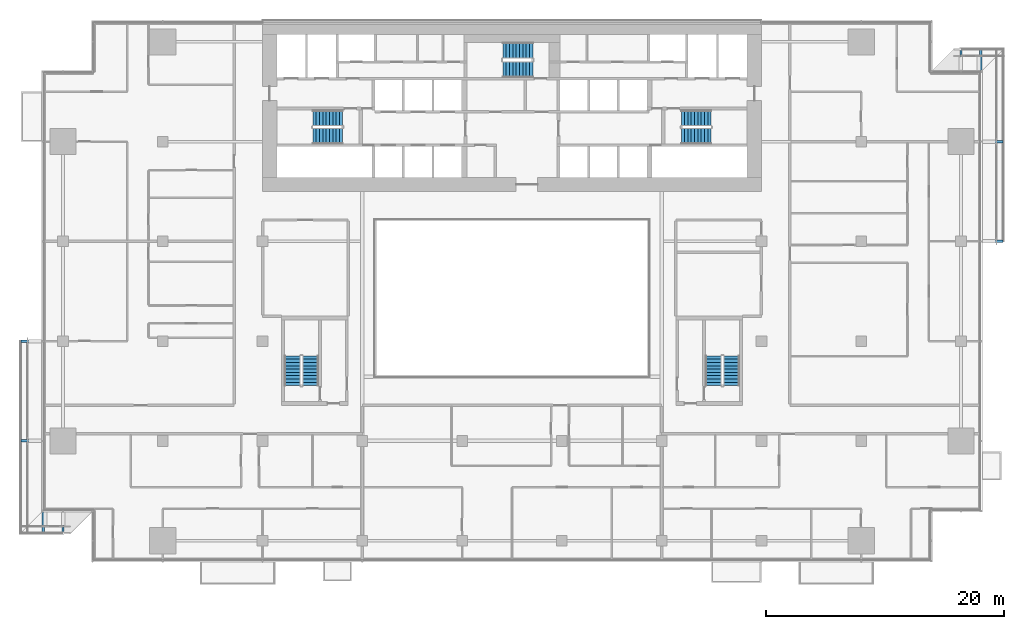
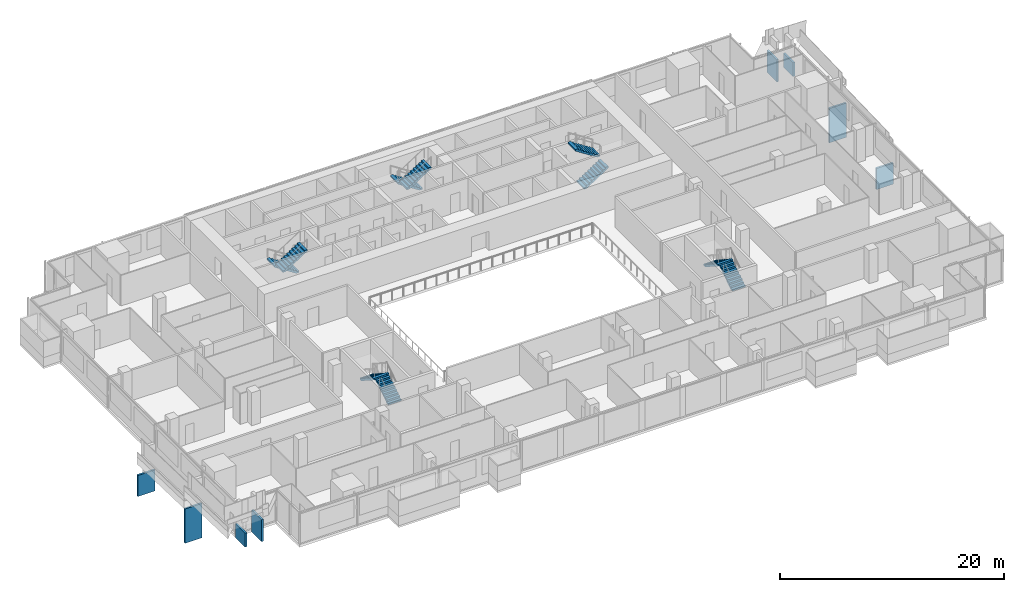
# One storey, part 25 of 29: 10 stair flights, 8 discrete accessories, 5 elements without a shape of their own.
"""IFC4 building model written with IfcOpenShell, lengths in metres."""

from ifc_helpers import new_model, si_unit, direction, frame, origin, origin_2d, place, context, subcontext, project, spatial, polyline, rectangle, outline, extrude, material, type_object, element, aggregate, save


model = new_model("IFC4")

# Units and contexts
model_context = context("Model", 3, precision=1e-05, world=origin(), true_north=direction((0.0, 1.0)))
body_context = subcontext(model_context, "Body", "Model", "MODEL_VIEW")
ifc_project = project(units=[si_unit("LENGTHUNIT", "METRE"), si_unit("AREAUNIT", "SQUARE_METRE"), si_unit("VOLUMEUNIT", "CUBIC_METRE"), si_unit("PLANEANGLEUNIT", "RADIAN"), si_unit("MASSUNIT", "GRAM", prefix="KILO")], contexts=[model_context])

# Site, building, storey
site_placement = place(None, origin())
site = spatial("IfcSite", under=ifc_project, at=site_placement, CompositionType="ELEMENT")
building_placement = place(site_placement, origin())
building = spatial("IfcBuilding", under=site, at=building_placement, Name="Saffron Gate Tower", CompositionType="ELEMENT")
storey_placement = place(building_placement, frame((0.0, 0.0, 55.199951171875)))
storey = spatial("IfcBuildingStorey", under=building, at=storey_placement, Name="L12", CompositionType="ELEMENT", Elevation=55.199951171875)

# Stair, stair flights
ifc_material = material(Name="Concrete C40", Category="concrete")
stair_type = type_object("IfcStairType", Name="ST7 Stair 1350 wide, 20 risers of 180", PredefinedType="HALF_TURN_STAIR", material=ifc_material)
stair_1_placement = place(storey_placement, origin())
stair_1 = element("IfcStair", 1, at=stair_1_placement, inside=storey, type_object=stair_type, Name="L12 Exit stair A", PredefinedType="HALF_TURN_STAIR")
stair_flight_type = type_object("IfcStairFlightType", Name="SF3 Stair flight 1350 wide, riser 180 going 280", PredefinedType="STRAIGHT", material=ifc_material)
stair_flight_1_placement = place(storey_placement, frame((73.35009765625, 67.375, 0.0), z_axis=(0.0, 0.0, 1.0), x_axis=(-1.0, 0.0, 0.0)))
stair_flight_1 = element("IfcStairFlight", 2, at=stair_flight_1_placement, type_object=stair_flight_type, Name="ST-A flight 1", NumberOfRisers=10, NumberOfTreads=9, PredefinedType="STRAIGHT", RiserHeight=0.18, TreadLength=0.28, context=body_context, shape_type="SweptSolid", body=[
    extrude(outline(polyline([(0.0, 0.0), (0.0, 0.179931640625), (0.280029296875, 0.179931640625), (0.280029296875, 0.360107421875), (0.56005859375, 0.360107421875), (0.56005859375, 0.5400390625), (0.840087890625, 0.5400390625), (0.840087890625, 0.719970703125), (1.1201171875, 0.719970703125), (1.1201171875, 0.89990234375), (1.39990234375, 0.89990234375), (1.39990234375, 1.080078125), (1.679931640625, 1.080078125), (1.679931640625, 1.260009765625), (1.9599609375, 1.260009765625), (1.9599609375, 1.43994140625), (2.239990234375, 1.43994140625), (2.239990234375, 1.6201171875), (2.52001953125, 1.6201171875), (2.52001953125, 1.800048828125), (2.52001953125, 1.44189453125), (0.277099609375, 0.0), (0.0, 0.0)])), frame((0.0, 0.675048828125, 0.0), z_axis=(0.0, -1.0, 0.0), x_axis=(1.0, 0.0, 0.0)), (0.0, 0.0, 1.0), 1.35009765625),
])
stair_flight_2_placement = place(storey_placement, frame((70.830078125, 65.875, 1.800048828125), z_axis=(0.0, 0.0, 1.0), x_axis=(1.0, 0.0, 0.0)))
stair_flight_2 = element("IfcStairFlight", 3, at=stair_flight_2_placement, type_object=stair_flight_type, Name="ST-A flight 2", NumberOfRisers=10, NumberOfTreads=9, PredefinedType="STRAIGHT", RiserHeight=0.18, TreadLength=0.28, context=body_context, shape_type="SweptSolid", body=[
    extrude(outline(polyline([(0.0, 0.0), (0.0, 0.179931640625), (0.280029296875, 0.179931640625), (0.280029296875, 0.360107421875), (0.56005859375, 0.360107421875), (0.56005859375, 0.5400390625), (0.840087890625, 0.5400390625), (0.840087890625, 0.719970703125), (1.1201171875, 0.719970703125), (1.1201171875, 0.89990234375), (1.39990234375, 0.89990234375), (1.39990234375, 1.080078125), (1.679931640625, 1.080078125), (1.679931640625, 1.260009765625), (1.9599609375, 1.260009765625), (1.9599609375, 1.43994140625), (2.239990234375, 1.43994140625), (2.239990234375, 1.6201171875), (2.52001953125, 1.6201171875), (2.52001953125, 1.800048828125), (2.52001953125, 1.44189453125), (0.277099609375, 0.0), (0.0, 0.0)])), frame((0.0, 0.675048828125, 0.0), z_axis=(0.0, -1.0, 0.0), x_axis=(1.0, 0.0, 0.0)), (0.0, 0.0, 1.0), 1.35009765625),
])
aggregate(stair_1, [stair_flight_1, stair_flight_2])

stair_2_placement = place(storey_placement, origin())
stair_2 = element("IfcStair", 4, at=stair_2_placement, inside=storey, type_object=stair_type, Name="L12 Exit stair B", PredefinedType="HALF_TURN_STAIR")
stair_flight_3_placement = place(storey_placement, frame((101.85009765625, 65.875, 0.0), z_axis=(0.0, 0.0, 1.0), x_axis=(1.0, 0.0, 0.0)))
stair_flight_3 = element("IfcStairFlight", 5, at=stair_flight_3_placement, type_object=stair_flight_type, Name="ST-B flight 1", NumberOfRisers=10, NumberOfTreads=9, PredefinedType="STRAIGHT", RiserHeight=0.18, TreadLength=0.28, context=body_context, shape_type="SweptSolid", body=[
    extrude(outline(polyline([(0.0, 0.0), (0.0, 0.179931640625), (0.280029296875, 0.179931640625), (0.280029296875, 0.360107421875), (0.56005859375, 0.360107421875), (0.56005859375, 0.5400390625), (0.840087890625, 0.5400390625), (0.840087890625, 0.719970703125), (1.1201171875, 0.719970703125), (1.1201171875, 0.89990234375), (1.39990234375, 0.89990234375), (1.39990234375, 1.080078125), (1.679931640625, 1.080078125), (1.679931640625, 1.260009765625), (1.9599609375, 1.260009765625), (1.9599609375, 1.43994140625), (2.239990234375, 1.43994140625), (2.239990234375, 1.6201171875), (2.52001953125, 1.6201171875), (2.52001953125, 1.800048828125), (2.52001953125, 1.44189453125), (0.277099609375, 0.0), (0.0, 0.0)])), frame((0.0, 0.675048828125, 0.0), z_axis=(0.0, -1.0, 0.0), x_axis=(1.0, 0.0, 0.0)), (0.0, 0.0, 1.0), 1.35009765625),
])
stair_flight_4_placement = place(storey_placement, frame((104.3701171875, 67.375, 1.800048828125), z_axis=(0.0, 0.0, 1.0), x_axis=(-1.0, 0.0, 0.0)))
stair_flight_4 = element("IfcStairFlight", 6, at=stair_flight_4_placement, type_object=stair_flight_type, Name="ST-B flight 2", NumberOfRisers=10, NumberOfTreads=9, PredefinedType="STRAIGHT", RiserHeight=0.18, TreadLength=0.28, context=body_context, shape_type="SweptSolid", body=[
    extrude(outline(polyline([(0.0, 0.0), (0.0, 0.179931640625), (0.280029296875, 0.179931640625), (0.280029296875, 0.360107421875), (0.56005859375, 0.360107421875), (0.56005859375, 0.5400390625), (0.840087890625, 0.5400390625), (0.840087890625, 0.719970703125), (1.1201171875, 0.719970703125), (1.1201171875, 0.89990234375), (1.39990234375, 0.89990234375), (1.39990234375, 1.080078125), (1.679931640625, 1.080078125), (1.679931640625, 1.260009765625), (1.9599609375, 1.260009765625), (1.9599609375, 1.43994140625), (2.239990234375, 1.43994140625), (2.239990234375, 1.6201171875), (2.52001953125, 1.6201171875), (2.52001953125, 1.800048828125), (2.52001953125, 1.44189453125), (0.277099609375, 0.0), (0.0, 0.0)])), frame((0.0, 0.675048828125, 0.0), z_axis=(0.0, -1.0, 0.0), x_axis=(1.0, 0.0, 0.0)), (0.0, 0.0, 1.0), 1.35009765625),
])
aggregate(stair_2, [stair_flight_3, stair_flight_4])

stair_3_placement = place(storey_placement, origin())
stair_3 = element("IfcStair", 7, at=stair_3_placement, inside=storey, type_object=stair_type, Name="L12 Exit stair C", PredefinedType="HALF_TURN_STAIR")
stair_flight_5_placement = place(storey_placement, frame((89.35009765625, 73.074951171875, 0.0), z_axis=(0.0, 0.0, 1.0), x_axis=(-1.0, 0.0, 0.0)))
stair_flight_5 = element("IfcStairFlight", 8, at=stair_flight_5_placement, type_object=stair_flight_type, Name="ST-C flight 1", NumberOfRisers=10, NumberOfTreads=9, PredefinedType="STRAIGHT", RiserHeight=0.18, TreadLength=0.28, context=body_context, shape_type="SweptSolid", body=[
    extrude(outline(polyline([(0.0, 0.0), (0.0, 0.179931640625), (0.280029296875, 0.179931640625), (0.280029296875, 0.360107421875), (0.56005859375, 0.360107421875), (0.56005859375, 0.5400390625), (0.840087890625, 0.5400390625), (0.840087890625, 0.719970703125), (1.1201171875, 0.719970703125), (1.1201171875, 0.89990234375), (1.39990234375, 0.89990234375), (1.39990234375, 1.080078125), (1.679931640625, 1.080078125), (1.679931640625, 1.260009765625), (1.9599609375, 1.260009765625), (1.9599609375, 1.43994140625), (2.239990234375, 1.43994140625), (2.239990234375, 1.6201171875), (2.52001953125, 1.6201171875), (2.52001953125, 1.800048828125), (2.52001953125, 1.44189453125), (0.277099609375, 0.0), (0.0, 0.0)])), frame((0.0, 0.675048828125, 0.0), z_axis=(0.0, -1.0, 0.0), x_axis=(1.0, 0.0, 0.0)), (0.0, 0.0, 1.0), 1.35009765625),
])
stair_flight_6_placement = place(storey_placement, frame((86.830078125, 71.47509765625, 1.800048828125), z_axis=(0.0, 0.0, 1.0), x_axis=(1.0, 0.0, 0.0)))
stair_flight_6 = element("IfcStairFlight", 9, at=stair_flight_6_placement, type_object=stair_flight_type, Name="ST-C flight 2", NumberOfRisers=10, NumberOfTreads=9, PredefinedType="STRAIGHT", RiserHeight=0.18, TreadLength=0.28, context=body_context, shape_type="SweptSolid", body=[
    extrude(outline(polyline([(0.0, 0.0), (0.0, 0.179931640625), (0.280029296875, 0.179931640625), (0.280029296875, 0.360107421875), (0.56005859375, 0.360107421875), (0.56005859375, 0.5400390625), (0.840087890625, 0.5400390625), (0.840087890625, 0.719970703125), (1.1201171875, 0.719970703125), (1.1201171875, 0.89990234375), (1.39990234375, 0.89990234375), (1.39990234375, 1.080078125), (1.679931640625, 1.080078125), (1.679931640625, 1.260009765625), (1.9599609375, 1.260009765625), (1.9599609375, 1.43994140625), (2.239990234375, 1.43994140625), (2.239990234375, 1.6201171875), (2.52001953125, 1.6201171875), (2.52001953125, 1.800048828125), (2.52001953125, 1.44189453125), (0.277099609375, 0.0), (0.0, 0.0)])), frame((0.0, 0.675048828125, 0.0), z_axis=(0.0, -1.0, 0.0), x_axis=(1.0, 0.0, 0.0)), (0.0, 0.0, 1.0), 1.35009765625),
])
aggregate(stair_3, [stair_flight_5, stair_flight_6])

stair_4_placement = place(storey_placement, origin())
stair_4 = element("IfcStair", 10, at=stair_4_placement, inside=storey, type_object=stair_type, Name="L12 Exit stair D", PredefinedType="HALF_TURN_STAIR")
stair_flight_7_placement = place(storey_placement, frame((70.625, 44.85009765625, 0.0), z_axis=(0.0, 0.0, 1.0), x_axis=(0.0, 1.0, 0.0)))
stair_flight_7 = element("IfcStairFlight", 11, at=stair_flight_7_placement, type_object=stair_flight_type, Name="ST-D flight 1", NumberOfRisers=10, NumberOfTreads=9, PredefinedType="STRAIGHT", RiserHeight=0.18, TreadLength=0.28, context=body_context, shape_type="SweptSolid", body=[
    extrude(outline(polyline([(0.0, 0.0), (0.0, 0.179931640625), (0.280029296875, 0.179931640625), (0.280029296875, 0.360107421875), (0.56005859375, 0.360107421875), (0.56005859375, 0.5400390625), (0.840087890625, 0.5400390625), (0.840087890625, 0.719970703125), (1.1201171875, 0.719970703125), (1.1201171875, 0.89990234375), (1.39990234375, 0.89990234375), (1.39990234375, 1.080078125), (1.679931640625, 1.080078125), (1.679931640625, 1.260009765625), (1.9599609375, 1.260009765625), (1.9599609375, 1.43994140625), (2.239990234375, 1.43994140625), (2.239990234375, 1.6201171875), (2.52001953125, 1.6201171875), (2.52001953125, 1.800048828125), (2.52001953125, 1.44189453125), (0.277099609375, 0.0), (0.0, 0.0)])), frame((0.0, 0.675048828125, 0.0), z_axis=(0.0, -1.0, 0.0), x_axis=(1.0, 0.0, 0.0)), (0.0, 0.0, 1.0), 1.35009765625),
])
stair_flight_8_placement = place(storey_placement, frame((69.125, 47.3701171875, 1.800048828125), z_axis=(0.0, 0.0, 1.0), x_axis=(0.0, -1.0, 0.0)))
stair_flight_8 = element("IfcStairFlight", 12, at=stair_flight_8_placement, type_object=stair_flight_type, Name="ST-D flight 2", NumberOfRisers=10, NumberOfTreads=9, PredefinedType="STRAIGHT", RiserHeight=0.18, TreadLength=0.28, context=body_context, shape_type="SweptSolid", body=[
    extrude(outline(polyline([(0.0, 0.0), (0.0, 0.179931640625), (0.280029296875, 0.179931640625), (0.280029296875, 0.360107421875), (0.56005859375, 0.360107421875), (0.56005859375, 0.5400390625), (0.840087890625, 0.5400390625), (0.840087890625, 0.719970703125), (1.1201171875, 0.719970703125), (1.1201171875, 0.89990234375), (1.39990234375, 0.89990234375), (1.39990234375, 1.080078125), (1.679931640625, 1.080078125), (1.679931640625, 1.260009765625), (1.9599609375, 1.260009765625), (1.9599609375, 1.43994140625), (2.239990234375, 1.43994140625), (2.239990234375, 1.6201171875), (2.52001953125, 1.6201171875), (2.52001953125, 1.800048828125), (2.52001953125, 1.44189453125), (0.277099609375, 0.0), (0.0, 0.0)])), frame((0.0, 0.675048828125, 0.0), z_axis=(0.0, -1.0, 0.0), x_axis=(1.0, 0.0, 0.0)), (0.0, 0.0, 1.0), 1.35009765625),
])
aggregate(stair_4, [stair_flight_7, stair_flight_8])

stair_5_placement = place(storey_placement, origin())
stair_5 = element("IfcStair", 13, at=stair_5_placement, inside=storey, type_object=stair_type, Name="L12 Exit stair E", PredefinedType="HALF_TURN_STAIR")
stair_flight_9_placement = place(storey_placement, frame((106.074951171875, 44.85009765625, 0.0), z_axis=(0.0, 0.0, 1.0), x_axis=(0.0, 1.0, 0.0)))
stair_flight_9 = element("IfcStairFlight", 14, at=stair_flight_9_placement, type_object=stair_flight_type, Name="ST-E flight 1", NumberOfRisers=10, NumberOfTreads=9, PredefinedType="STRAIGHT", RiserHeight=0.18, TreadLength=0.28, context=body_context, shape_type="SweptSolid", body=[
    extrude(outline(polyline([(0.0, 0.0), (0.0, 0.179931640625), (0.280029296875, 0.179931640625), (0.280029296875, 0.360107421875), (0.56005859375, 0.360107421875), (0.56005859375, 0.5400390625), (0.840087890625, 0.5400390625), (0.840087890625, 0.719970703125), (1.1201171875, 0.719970703125), (1.1201171875, 0.89990234375), (1.39990234375, 0.89990234375), (1.39990234375, 1.080078125), (1.679931640625, 1.080078125), (1.679931640625, 1.260009765625), (1.9599609375, 1.260009765625), (1.9599609375, 1.43994140625), (2.239990234375, 1.43994140625), (2.239990234375, 1.6201171875), (2.52001953125, 1.6201171875), (2.52001953125, 1.800048828125), (2.52001953125, 1.44189453125), (0.277099609375, 0.0), (0.0, 0.0)])), frame((0.0, 0.675048828125, 0.0), z_axis=(0.0, -1.0, 0.0), x_axis=(1.0, 0.0, 0.0)), (0.0, 0.0, 1.0), 1.35009765625),
])
stair_flight_10_placement = place(storey_placement, frame((104.574951171875, 47.3701171875, 1.800048828125), z_axis=(0.0, 0.0, 1.0), x_axis=(0.0, -1.0, 0.0)))
stair_flight_10 = element("IfcStairFlight", 15, at=stair_flight_10_placement, type_object=stair_flight_type, Name="ST-E flight 2", NumberOfRisers=10, NumberOfTreads=9, PredefinedType="STRAIGHT", RiserHeight=0.18, TreadLength=0.28, context=body_context, shape_type="SweptSolid", body=[
    extrude(outline(polyline([(0.0, 0.0), (0.0, 0.179931640625), (0.280029296875, 0.179931640625), (0.280029296875, 0.360107421875), (0.56005859375, 0.360107421875), (0.56005859375, 0.5400390625), (0.840087890625, 0.5400390625), (0.840087890625, 0.719970703125), (1.1201171875, 0.719970703125), (1.1201171875, 0.89990234375), (1.39990234375, 0.89990234375), (1.39990234375, 1.080078125), (1.679931640625, 1.080078125), (1.679931640625, 1.260009765625), (1.9599609375, 1.260009765625), (1.9599609375, 1.43994140625), (2.239990234375, 1.43994140625), (2.239990234375, 1.6201171875), (2.52001953125, 1.6201171875), (2.52001953125, 1.800048828125), (2.52001953125, 1.44189453125), (0.277099609375, 0.0), (0.0, 0.0)])), frame((0.0, 0.675048828125, 0.0), z_axis=(0.0, -1.0, 0.0), x_axis=(1.0, 0.0, 0.0)), (0.0, 0.0, 1.0), 1.35009765625),
])
aggregate(stair_5, [stair_flight_9, stair_flight_10])

# Discrete accessories
discrete_accessory_1_placement = place(storey_placement, frame((128.074951171875, 57.0, -3.8798828125), z_axis=(0.0, 0.0, 1.0), x_axis=(0.0, 1.0, 0.0)))
element("IfcDiscreteAccessory", 16, at=discrete_accessory_1_placement, inside=storey, Name="LEDGE rib", PredefinedType="BRACKET", context=body_context, shape_type="SweptSolid", body=[
    extrude(rectangle(XDim=0.199951171875, YDim=1.75, at=origin_2d()), origin(), (0.0, 0.0, 1.0), 2.293701171875),
])
discrete_accessory_2_placement = place(storey_placement, frame((128.074951171875, 65.39990234375, -3.8798828125), z_axis=(0.0, 0.0, 1.0), x_axis=(0.0, 1.0, 0.0)))
element("IfcDiscreteAccessory", 17, at=discrete_accessory_2_placement, inside=storey, Name="LEDGE rib", PredefinedType="BRACKET", context=body_context, shape_type="SweptSolid", body=[
    extrude(rectangle(XDim=0.199951171875, YDim=1.75, at=origin_2d()), origin(), (0.0, 0.0, 1.0), 3.736083984375),
])
discrete_accessory_3_placement = place(storey_placement, frame((127.080078125, 72.27490234375, -0.280029296875), z_axis=(0.0, 0.0, 1.0), x_axis=(-1.0, 0.0, 0.0)))
element("IfcDiscreteAccessory", 18, at=discrete_accessory_3_placement, inside=storey, Name="LEDGE rib", PredefinedType="BRACKET", context=body_context, shape_type="SweptSolid", body=[
    extrude(rectangle(XDim=0.199951171875, YDim=1.75, at=origin_2d()), origin(), (0.0, 0.0, 1.0), 1.50927734375),
])
discrete_accessory_4_placement = place(storey_placement, frame((125.39990234375, 72.27490234375, -0.280029296875), z_axis=(0.0, 0.0, 1.0), x_axis=(-1.0, 0.0, 0.0)))
element("IfcDiscreteAccessory", 19, at=discrete_accessory_4_placement, inside=storey, Name="LEDGE rib", PredefinedType="BRACKET", context=body_context, shape_type="SweptSolid", body=[
    extrude(rectangle(XDim=0.199951171875, YDim=1.75, at=origin_2d()), origin(), (0.0, 0.0, 1.0), 2.41845703125),
])
discrete_accessory_5_placement = place(storey_placement, frame((47.125, 48.60009765625, -3.8798828125), z_axis=(0.0, 0.0, 1.0), x_axis=(0.0, -1.0, 0.0)))
element("IfcDiscreteAccessory", 20, at=discrete_accessory_5_placement, inside=storey, Name="LEDGE rib", PredefinedType="BRACKET", context=body_context, shape_type="SweptSolid", body=[
    extrude(rectangle(XDim=0.199951171875, YDim=1.75, at=origin_2d()), origin(), (0.0, 0.0, 1.0), 2.293701171875),
])
discrete_accessory_6_placement = place(storey_placement, frame((47.125, 40.199951171875, -3.8798828125), z_axis=(0.0, 0.0, 1.0), x_axis=(0.0, -1.0, 0.0)))
element("IfcDiscreteAccessory", 21, at=discrete_accessory_6_placement, inside=storey, Name="LEDGE rib", PredefinedType="BRACKET", context=body_context, shape_type="SweptSolid", body=[
    extrude(rectangle(XDim=0.199951171875, YDim=1.75, at=origin_2d()), origin(), (0.0, 0.0, 1.0), 3.736083984375),
])
discrete_accessory_7_placement = place(storey_placement, frame((48.1201171875, 33.324951171875, -0.280029296875), z_axis=(0.0, 0.0, 1.0), x_axis=(1.0, 0.0, 0.0)))
element("IfcDiscreteAccessory", 22, at=discrete_accessory_7_placement, inside=storey, Name="LEDGE rib", PredefinedType="BRACKET", context=body_context, shape_type="SweptSolid", body=[
    extrude(rectangle(XDim=0.199951171875, YDim=1.75, at=origin_2d()), origin(), (0.0, 0.0, 1.0), 1.50927734375),
])
discrete_accessory_8_placement = place(storey_placement, frame((49.800048828125, 33.324951171875, -0.280029296875), z_axis=(0.0, 0.0, 1.0), x_axis=(1.0, 0.0, 0.0)))
element("IfcDiscreteAccessory", 23, at=discrete_accessory_8_placement, inside=storey, Name="LEDGE rib", PredefinedType="BRACKET", context=body_context, shape_type="SweptSolid", body=[
    extrude(rectangle(XDim=0.199951171875, YDim=1.75, at=origin_2d()), origin(), (0.0, 0.0, 1.0), 2.41845703125),
])

save(model, "model.ifc")
